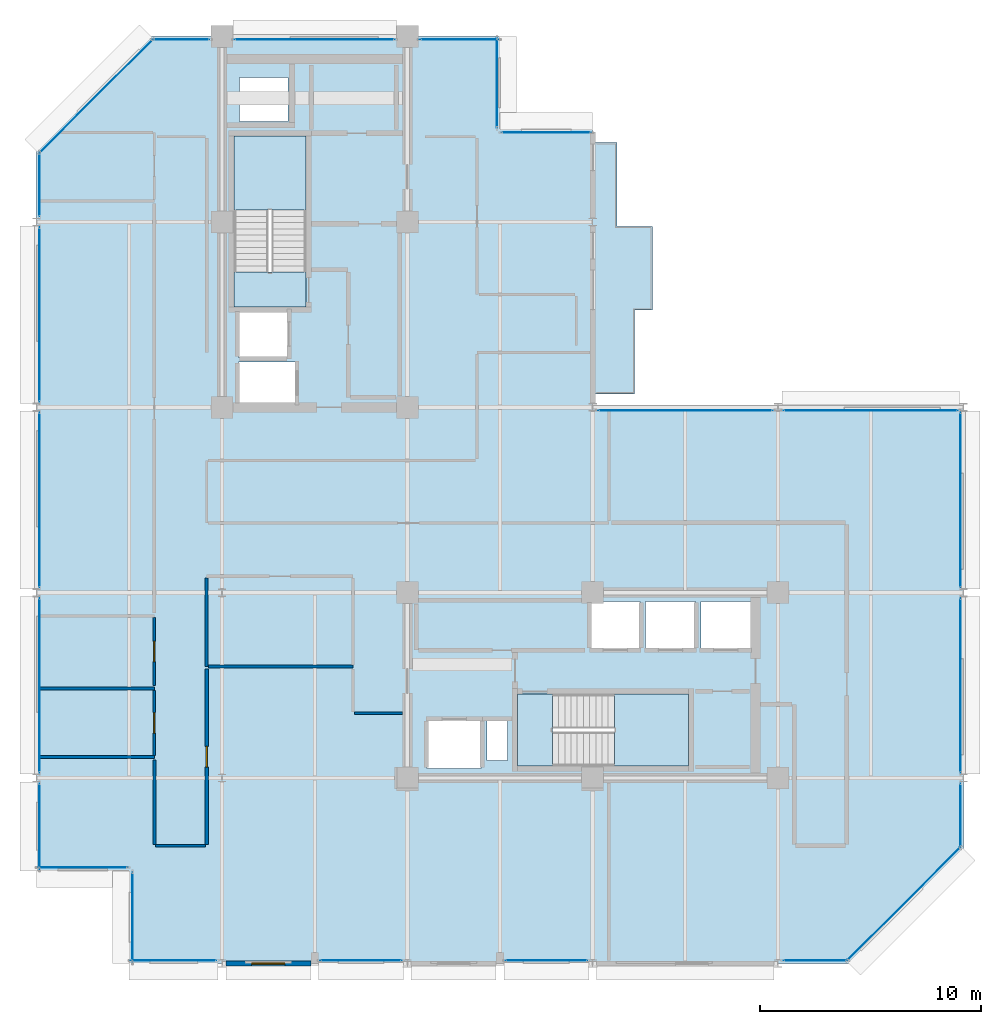
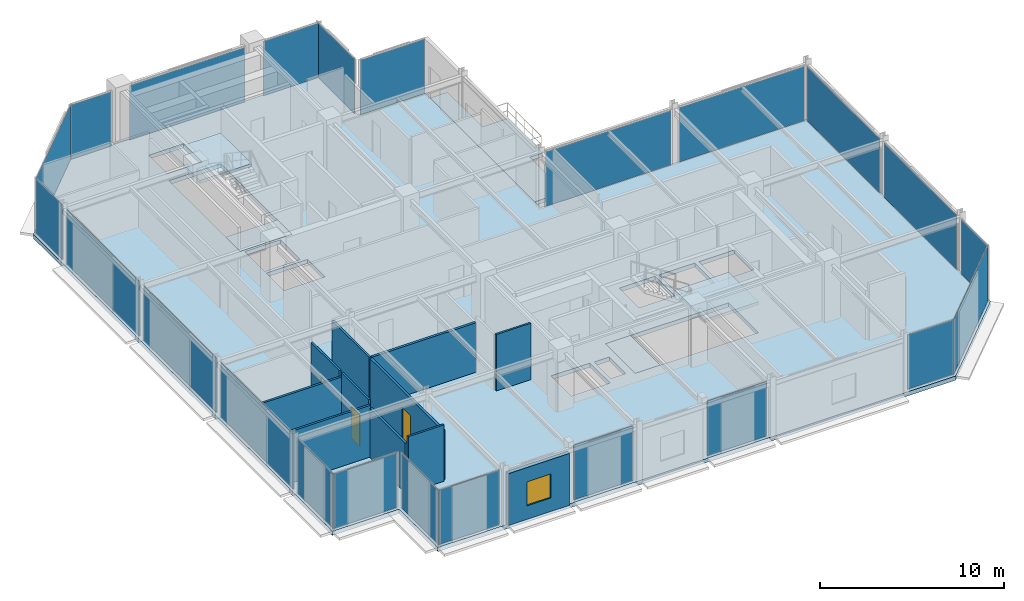
# One storey, part 19 of 26: 23 plates, 11 walls, 6 slabs, 3 doors, 1 window, 4 openings, 25 elements without a shape of their own.
"""IFC4 building model written with IfcOpenShell, lengths in metres."""

from ifc_helpers import new_model, si_unit, direction, frame, frame_2d, origin, origin_2d, place, context, subcontext, project, spatial, polyline, rectangle, outline, extrude, material, layer, layer_set, type_object, element, fill, aggregate, save


model = new_model("IFC4")

# Units and contexts
model_context = context("Model", 3, precision=1e-05, world=origin(), true_north=direction((0.0, 1.0)))
body_context = subcontext(model_context, "Body", "Model", "MODEL_VIEW")
ifc_project = project(units=[si_unit("LENGTHUNIT", "METRE"), si_unit("AREAUNIT", "SQUARE_METRE"), si_unit("VOLUMEUNIT", "CUBIC_METRE"), si_unit("PLANEANGLEUNIT", "RADIAN"), si_unit("MASSUNIT", "GRAM", prefix="KILO")], contexts=[model_context])

# Site, building, storey
site_placement = place(None, origin())
site = spatial("IfcSite", under=ifc_project, at=site_placement, CompositionType="ELEMENT")
building_placement = place(site_placement, origin())
building = spatial("IfcBuilding", under=site, at=building_placement, Name="Nerrivon Quay Data Exchange", CompositionType="ELEMENT")
storey_placement = place(building_placement, frame((0.0, 0.0, 241.10009765625)))
storey = spatial("IfcBuildingStorey", under=building, at=storey_placement, Name="L57", CompositionType="ELEMENT", Elevation=241.10009765625)

# Curtain wall, plate
ifc_material_1 = material(Name="Anodised aluminium 6063-T6", Category="aluminium")
ifc_layer_1 = layer(ifc_material_1, 0.195068359375)
ifc_layer_set_1 = layer_set([ifc_layer_1], Name="Anodised aluminium 6063-T6")
curtain_wall_type = type_object("IfcCurtainWallType", Name="CW-SYS-06", PredefinedType="NOTDEFINED", material=ifc_layer_set_1)
curtain_wall_1_placement = place(storey_placement, origin())
curtain_wall_1 = element("IfcCurtainWall", 1, at=curtain_wall_1_placement, inside=storey, type_object=curtain_wall_type, Name="L57 Unitised Curtain Wall 1", PredefinedType="NOTDEFINED")
ifc_material_2 = material(Name="Double-glazed low-E solar control glass", Category="glass")
ifc_layer_2 = layer(ifc_material_2, 0.028076171875)
ifc_layer_set_2 = layer_set([ifc_layer_2], Name="Double-glazed low-E solar control glass")
plate_type = type_object("IfcPlateType", Name="CWP-GLZ-28", PredefinedType="CURTAIN_PANEL", material=ifc_layer_set_2)
plate_1_placement = place(storey_placement, frame((39.301025390625, 2.698974609375, 0.06494140625), z_axis=(0.0, 0.0, 1.0), x_axis=(-0.707106781187, -0.707106781187, 0.0)))
plate_1 = element("IfcPlate", 2, at=plate_1_placement, type_object=plate_type, Name="CW06 panel 1.1", PredefinedType="CURTAIN_PANEL", context=body_context, shape_type="SweptSolid", body=[
    extrude(rectangle(XDim=7.203857421875, YDim=0.028076171875, at=origin_2d()), origin(), (0.0, 0.0, 1.0), 3.6201171875),
])
aggregate(curtain_wall_1, [plate_1])

curtain_wall_2_placement = place(storey_placement, origin())
curtain_wall_2 = element("IfcCurtainWall", 3, at=curtain_wall_2_placement, inside=storey, type_object=curtain_wall_type, Name="L57 Unitised Curtain Wall 2", PredefinedType="NOTDEFINED")
plate_2_placement = place(storey_placement, frame((35.28759765625, 0.139892578125, 0.06494140625), z_axis=(0.0, 0.0, 1.0), x_axis=(-1.0, 0.0, 0.0)))
plate_2 = element("IfcPlate", 4, at=plate_2_placement, type_object=plate_type, Name="CW06 panel 1.1", PredefinedType="CURTAIN_PANEL", context=body_context, shape_type="SweptSolid", body=[
    extrude(rectangle(XDim=2.875, YDim=0.028076171875, at=origin_2d()), origin(), (0.0, 0.0, 1.0), 3.6201171875),
])
aggregate(curtain_wall_2, [plate_2])

curtain_wall_3_placement = place(storey_placement, origin())
curtain_wall_3 = element("IfcCurtainWall", 5, at=curtain_wall_3_placement, inside=storey, type_object=curtain_wall_type, Name="L57 Unitised Curtain Wall 4", PredefinedType="NOTDEFINED")
plate_3_placement = place(storey_placement, frame((23.10009765625, 0.139892578125, 0.06494140625), z_axis=(0.0, 0.0, 1.0), x_axis=(-1.0, 0.0, 0.0)))
plate_3 = element("IfcPlate", 6, at=plate_3_placement, type_object=plate_type, Name="CW06 panel 1.1", PredefinedType="CURTAIN_PANEL", context=body_context, shape_type="SweptSolid", body=[
    extrude(rectangle(XDim=3.699951171875, YDim=0.028076171875, at=origin_2d()), origin(), (0.0, 0.0, 1.0), 3.6201171875),
])
aggregate(curtain_wall_3, [plate_3])

curtain_wall_4_placement = place(storey_placement, origin())
curtain_wall_4 = element("IfcCurtainWall", 7, at=curtain_wall_4_placement, inside=storey, type_object=curtain_wall_type, Name="L57 Unitised Curtain Wall 6", PredefinedType="NOTDEFINED")
plate_4_placement = place(storey_placement, frame((14.699951171875, 0.139892578125, 0.06494140625), z_axis=(0.0, 0.0, 1.0), x_axis=(-1.0, 0.0, 0.0)))
plate_4 = element("IfcPlate", 8, at=plate_4_placement, type_object=plate_type, Name="CW06 panel 1.1", PredefinedType="CURTAIN_PANEL", context=body_context, shape_type="SweptSolid", body=[
    extrude(rectangle(XDim=3.699951171875, YDim=0.028076171875, at=origin_2d()), origin(), (0.0, 0.0, 1.0), 3.6201171875),
])
aggregate(curtain_wall_4, [plate_4])

curtain_wall_5_placement = place(storey_placement, origin())
curtain_wall_5 = element("IfcCurtainWall", 9, at=curtain_wall_5_placement, inside=storey, type_object=curtain_wall_type, Name="L57 Unitised Curtain Wall 8", PredefinedType="NOTDEFINED")
plate_5_placement = place(storey_placement, frame((6.21240234375, 0.139892578125, 0.06494140625), z_axis=(0.0, 0.0, 1.0), x_axis=(-1.0, 0.0, 0.0)))
plate_5 = element("IfcPlate", 10, at=plate_5_placement, type_object=plate_type, Name="CW06 panel 1.1", PredefinedType="CURTAIN_PANEL", context=body_context, shape_type="SweptSolid", body=[
    extrude(rectangle(XDim=3.875, YDim=0.028076171875, at=origin_2d()), origin(), (0.0, 0.0, 1.0), 3.6201171875),
])
aggregate(curtain_wall_5, [plate_5])

curtain_wall_6_placement = place(storey_placement, origin())
curtain_wall_6 = element("IfcCurtainWall", 11, at=curtain_wall_6_placement, inside=storey, type_object=curtain_wall_type, Name="L57 Unitised Curtain Wall 9", PredefinedType="NOTDEFINED")
plate_6_placement = place(storey_placement, frame((4.340087890625, 2.10009765625, 0.06494140625), z_axis=(0.0, 0.0, 1.0), x_axis=(0.0, 1.0, 0.0)))
plate_6 = element("IfcPlate", 12, at=plate_6_placement, type_object=plate_type, Name="CW06 panel 1.1", PredefinedType="CURTAIN_PANEL", context=body_context, shape_type="SweptSolid", body=[
    extrude(rectangle(XDim=4.050048828125, YDim=0.028076171875, at=origin_2d()), origin(), (0.0, 0.0, 1.0), 3.6201171875),
])
aggregate(curtain_wall_6, [plate_6])

curtain_wall_7_placement = place(storey_placement, origin())
curtain_wall_7 = element("IfcCurtainWall", 13, at=curtain_wall_7_placement, inside=storey, type_object=curtain_wall_type, Name="L57 Unitised Curtain Wall 10", PredefinedType="NOTDEFINED")
plate_7_placement = place(storey_placement, frame((2.10009765625, 4.340087890625, 0.06494140625), z_axis=(0.0, 0.0, 1.0), x_axis=(-1.0, 0.0, 0.0)))
plate_7 = element("IfcPlate", 14, at=plate_7_placement, type_object=plate_type, Name="CW06 panel 1.1", PredefinedType="CURTAIN_PANEL", context=body_context, shape_type="SweptSolid", body=[
    extrude(rectangle(XDim=4.050048828125, YDim=0.028076171875, at=origin_2d()), origin(), (0.0, 0.0, 1.0), 3.6201171875),
])
aggregate(curtain_wall_7, [plate_7])

curtain_wall_8_placement = place(storey_placement, origin())
curtain_wall_8 = element("IfcCurtainWall", 15, at=curtain_wall_8_placement, inside=storey, type_object=curtain_wall_type, Name="L57 Unitised Curtain Wall 11", PredefinedType="NOTDEFINED")
plate_8_placement = place(storey_placement, frame((0.139892578125, 6.21240234375, 0.06494140625), z_axis=(0.0, 0.0, 1.0), x_axis=(0.0, 1.0, 0.0)))
plate_8 = element("IfcPlate", 16, at=plate_8_placement, type_object=plate_type, Name="CW06 panel 1.1", PredefinedType="CURTAIN_PANEL", context=body_context, shape_type="SweptSolid", body=[
    extrude(rectangle(XDim=3.875, YDim=0.028076171875, at=origin_2d()), origin(), (0.0, 0.0, 1.0), 3.6201171875),
])
aggregate(curtain_wall_8, [plate_8])

curtain_wall_9_placement = place(storey_placement, origin())
curtain_wall_9 = element("IfcCurtainWall", 17, at=curtain_wall_9_placement, inside=storey, type_object=curtain_wall_type, Name="L57 Unitised Curtain Wall 12", PredefinedType="NOTDEFINED")
plate_9_placement = place(storey_placement, frame((0.139892578125, 12.60009765625, 0.06494140625), z_axis=(0.0, 0.0, 1.0), x_axis=(0.0, 1.0, 0.0)))
plate_9 = element("IfcPlate", 18, at=plate_9_placement, type_object=plate_type, Name="CW06 panel 1.1", PredefinedType="CURTAIN_PANEL", context=body_context, shape_type="SweptSolid", body=[
    extrude(rectangle(XDim=7.89990234375, YDim=0.028076171875, at=origin_2d()), origin(), (0.0, 0.0, 1.0), 3.6201171875),
])
aggregate(curtain_wall_9, [plate_9])

curtain_wall_10_placement = place(storey_placement, origin())
curtain_wall_10 = element("IfcCurtainWall", 19, at=curtain_wall_10_placement, inside=storey, type_object=curtain_wall_type, Name="L57 Unitised Curtain Wall 13", PredefinedType="NOTDEFINED")
plate_10_placement = place(storey_placement, frame((0.139892578125, 21.0, 0.06494140625), z_axis=(0.0, 0.0, 1.0), x_axis=(0.0, 1.0, 0.0)))
plate_10 = element("IfcPlate", 20, at=plate_10_placement, type_object=plate_type, Name="CW06 panel 1.1", PredefinedType="CURTAIN_PANEL", context=body_context, shape_type="SweptSolid", body=[
    extrude(rectangle(XDim=7.89990234375, YDim=0.028076171875, at=origin_2d()), origin(), (0.0, 0.0, 1.0), 3.6201171875),
])
aggregate(curtain_wall_10, [plate_10])

curtain_wall_11_placement = place(storey_placement, origin())
curtain_wall_11 = element("IfcCurtainWall", 21, at=curtain_wall_11_placement, inside=storey, type_object=curtain_wall_type, Name="L57 Unitised Curtain Wall 14", PredefinedType="NOTDEFINED")
plate_11_placement = place(storey_placement, frame((0.139892578125, 29.39990234375, 0.06494140625), z_axis=(0.0, 0.0, 1.0), x_axis=(0.0, 1.0, 0.0)))
plate_11 = element("IfcPlate", 22, at=plate_11_placement, type_object=plate_type, Name="CW06 panel 1.1", PredefinedType="CURTAIN_PANEL", context=body_context, shape_type="SweptSolid", body=[
    extrude(rectangle(XDim=7.89990234375, YDim=0.028076171875, at=origin_2d()), origin(), (0.0, 0.0, 1.0), 3.6201171875),
])
aggregate(curtain_wall_11, [plate_11])

curtain_wall_12_placement = place(storey_placement, origin())
curtain_wall_12 = element("IfcCurtainWall", 23, at=curtain_wall_12_placement, inside=storey, type_object=curtain_wall_type, Name="L57 Unitised Curtain Wall 15", PredefinedType="NOTDEFINED")
plate_12_placement = place(storey_placement, frame((0.139892578125, 35.28759765625, 0.06494140625), z_axis=(0.0, 0.0, 1.0), x_axis=(0.0, 1.0, 0.0)))
plate_12 = element("IfcPlate", 24, at=plate_12_placement, type_object=plate_type, Name="CW06 panel 1.1", PredefinedType="CURTAIN_PANEL", context=body_context, shape_type="SweptSolid", body=[
    extrude(rectangle(XDim=2.875, YDim=0.028076171875, at=origin_2d()), origin(), (0.0, 0.0, 1.0), 3.6201171875),
])
aggregate(curtain_wall_12, [plate_12])

curtain_wall_13_placement = place(storey_placement, origin())
curtain_wall_13 = element("IfcCurtainWall", 25, at=curtain_wall_13_placement, inside=storey, type_object=curtain_wall_type, Name="L57 Unitised Curtain Wall 16", PredefinedType="NOTDEFINED")
plate_13_placement = place(storey_placement, frame((2.698974609375, 39.301025390625, 0.06494140625), z_axis=(0.0, 0.0, 1.0), x_axis=(0.707106781187, 0.707106781187, 0.0)))
plate_13 = element("IfcPlate", 26, at=plate_13_placement, type_object=plate_type, Name="CW06 panel 1.1", PredefinedType="CURTAIN_PANEL", context=body_context, shape_type="SweptSolid", body=[
    extrude(rectangle(XDim=7.203857421875, YDim=0.028076171875, at=origin_2d()), origin(), (0.0, 0.0, 1.0), 3.6201171875),
])
aggregate(curtain_wall_13, [plate_13])

curtain_wall_14_placement = place(storey_placement, origin())
curtain_wall_14 = element("IfcCurtainWall", 27, at=curtain_wall_14_placement, inside=storey, type_object=curtain_wall_type, Name="L57 Unitised Curtain Wall 17", PredefinedType="NOTDEFINED")
plate_14_placement = place(storey_placement, frame((6.550048828125, 41.860107421875, 0.06494140625), z_axis=(0.0, 0.0, 1.0), x_axis=(1.0, 0.0, 0.0)))
plate_14 = element("IfcPlate", 28, at=plate_14_placement, type_object=plate_type, Name="CW06 panel 1.1", PredefinedType="CURTAIN_PANEL", context=body_context, shape_type="SweptSolid", body=[
    extrude(rectangle(XDim=2.550048828125, YDim=0.028076171875, at=origin_2d()), origin(), (0.0, 0.0, 1.0), 3.6201171875),
])
aggregate(curtain_wall_14, [plate_14])

curtain_wall_15_placement = place(storey_placement, origin())
curtain_wall_15 = element("IfcCurtainWall", 29, at=curtain_wall_15_placement, inside=storey, type_object=curtain_wall_type, Name="L57 Unitised Curtain Wall 18", PredefinedType="NOTDEFINED")
plate_15_placement = place(storey_placement, frame((12.60009765625, 41.860107421875, 0.06494140625), z_axis=(0.0, 0.0, 1.0), x_axis=(1.0, 0.0, 0.0)))
plate_15 = element("IfcPlate", 30, at=plate_15_placement, type_object=plate_type, Name="CW06 panel 1.1", PredefinedType="CURTAIN_PANEL", context=body_context, shape_type="SweptSolid", body=[
    extrude(rectangle(XDim=7.25, YDim=0.028076171875, at=origin_2d()), origin(), (0.0, 0.0, 1.0), 3.6201171875),
])
aggregate(curtain_wall_15, [plate_15])

curtain_wall_16_placement = place(storey_placement, origin())
curtain_wall_16 = element("IfcCurtainWall", 31, at=curtain_wall_16_placement, inside=storey, type_object=curtain_wall_type, Name="L57 Unitised Curtain Wall 19", PredefinedType="NOTDEFINED")
plate_16_placement = place(storey_placement, frame((19.14990234375, 41.860107421875, 0.06494140625), z_axis=(0.0, 0.0, 1.0), x_axis=(1.0, 0.0, 0.0)))
plate_16 = element("IfcPlate", 32, at=plate_16_placement, type_object=plate_type, Name="CW06 panel 1.1", PredefinedType="CURTAIN_PANEL", context=body_context, shape_type="SweptSolid", body=[
    extrude(rectangle(XDim=3.550048828125, YDim=0.028076171875, at=origin_2d()), origin(), (0.0, 0.0, 1.0), 3.6201171875),
])
aggregate(curtain_wall_16, [plate_16])

curtain_wall_17_placement = place(storey_placement, origin())
curtain_wall_17 = element("IfcCurtainWall", 33, at=curtain_wall_17_placement, inside=storey, type_object=curtain_wall_type, Name="L57 Unitised Curtain Wall 20", PredefinedType="NOTDEFINED")
plate_17_placement = place(storey_placement, frame((20.860107421875, 39.89990234375, 0.06494140625), z_axis=(0.0, 0.0, 1.0), x_axis=(0.0, -1.0, 0.0)))
plate_17 = element("IfcPlate", 34, at=plate_17_placement, type_object=plate_type, Name="CW06 panel 1.1", PredefinedType="CURTAIN_PANEL", context=body_context, shape_type="SweptSolid", body=[
    extrude(rectangle(XDim=4.050048828125, YDim=0.028076171875, at=origin_2d()), origin(), (0.0, 0.0, 1.0), 3.6201171875),
])
aggregate(curtain_wall_17, [plate_17])

curtain_wall_18_placement = place(storey_placement, origin())
curtain_wall_18 = element("IfcCurtainWall", 35, at=curtain_wall_18_placement, inside=storey, type_object=curtain_wall_type, Name="L57 Unitised Curtain Wall 21", PredefinedType="NOTDEFINED")
plate_18_placement = place(storey_placement, frame((23.10009765625, 37.659912109375, 0.06494140625), z_axis=(0.0, 0.0, 1.0), x_axis=(1.0, 0.0, 0.0)))
plate_18 = element("IfcPlate", 36, at=plate_18_placement, type_object=plate_type, Name="CW06 panel 1.1", PredefinedType="CURTAIN_PANEL", context=body_context, shape_type="SweptSolid", body=[
    extrude(rectangle(XDim=4.050048828125, YDim=0.028076171875, at=origin_2d()), origin(), (0.0, 0.0, 1.0), 3.6201171875),
])
aggregate(curtain_wall_18, [plate_18])

curtain_wall_19_placement = place(storey_placement, origin())
curtain_wall_19 = element("IfcCurtainWall", 37, at=curtain_wall_19_placement, inside=storey, type_object=curtain_wall_type, Name="L57 Unitised Curtain Wall 24", PredefinedType="NOTDEFINED")
plate_19_placement = place(storey_placement, frame((29.39990234375, 25.06005859375, 0.06494140625), z_axis=(0.0, 0.0, 1.0), x_axis=(1.0, 0.0, 0.0)))
plate_19 = element("IfcPlate", 38, at=plate_19_placement, type_object=plate_type, Name="CW06 panel 1.1", PredefinedType="CURTAIN_PANEL", context=body_context, shape_type="SweptSolid", body=[
    extrude(rectangle(XDim=7.89990234375, YDim=0.028076171875, at=origin_2d()), origin(), (0.0, 0.0, 1.0), 3.6201171875),
])
aggregate(curtain_wall_19, [plate_19])

curtain_wall_20_placement = place(storey_placement, origin())
curtain_wall_20 = element("IfcCurtainWall", 39, at=curtain_wall_20_placement, inside=storey, type_object=curtain_wall_type, Name="L57 Unitised Curtain Wall 25", PredefinedType="NOTDEFINED")
plate_20_placement = place(storey_placement, frame((37.800048828125, 25.06005859375, 0.06494140625), z_axis=(0.0, 0.0, 1.0), x_axis=(1.0, 0.0, 0.0)))
plate_20 = element("IfcPlate", 40, at=plate_20_placement, type_object=plate_type, Name="CW06 panel 1.1", PredefinedType="CURTAIN_PANEL", context=body_context, shape_type="SweptSolid", body=[
    extrude(rectangle(XDim=7.89990234375, YDim=0.028076171875, at=origin_2d()), origin(), (0.0, 0.0, 1.0), 3.6201171875),
])
aggregate(curtain_wall_20, [plate_20])

curtain_wall_21_placement = place(storey_placement, origin())
curtain_wall_21 = element("IfcCurtainWall", 41, at=curtain_wall_21_placement, inside=storey, type_object=curtain_wall_type, Name="L57 Unitised Curtain Wall 26", PredefinedType="NOTDEFINED")
plate_21_placement = place(storey_placement, frame((41.860107421875, 21.0, 0.06494140625), z_axis=(0.0, 0.0, 1.0), x_axis=(0.0, -1.0, 0.0)))
plate_21 = element("IfcPlate", 42, at=plate_21_placement, type_object=plate_type, Name="CW06 panel 1.1", PredefinedType="CURTAIN_PANEL", context=body_context, shape_type="SweptSolid", body=[
    extrude(rectangle(XDim=7.89990234375, YDim=0.028076171875, at=origin_2d()), origin(), (0.0, 0.0, 1.0), 3.6201171875),
])
aggregate(curtain_wall_21, [plate_21])

curtain_wall_22_placement = place(storey_placement, origin())
curtain_wall_22 = element("IfcCurtainWall", 43, at=curtain_wall_22_placement, inside=storey, type_object=curtain_wall_type, Name="L57 Unitised Curtain Wall 27", PredefinedType="NOTDEFINED")
plate_22_placement = place(storey_placement, frame((41.860107421875, 12.60009765625, 0.06494140625), z_axis=(0.0, 0.0, 1.0), x_axis=(0.0, -1.0, 0.0)))
plate_22 = element("IfcPlate", 44, at=plate_22_placement, type_object=plate_type, Name="CW06 panel 1.1", PredefinedType="CURTAIN_PANEL", context=body_context, shape_type="SweptSolid", body=[
    extrude(rectangle(XDim=7.89990234375, YDim=0.028076171875, at=origin_2d()), origin(), (0.0, 0.0, 1.0), 3.6201171875),
])
aggregate(curtain_wall_22, [plate_22])

curtain_wall_23_placement = place(storey_placement, origin())
curtain_wall_23 = element("IfcCurtainWall", 45, at=curtain_wall_23_placement, inside=storey, type_object=curtain_wall_type, Name="L57 Unitised Curtain Wall 28", PredefinedType="NOTDEFINED")
plate_23_placement = place(storey_placement, frame((41.860107421875, 6.71240234375, 0.06494140625), z_axis=(0.0, 0.0, 1.0), x_axis=(0.0, -1.0, 0.0)))
plate_23 = element("IfcPlate", 46, at=plate_23_placement, type_object=plate_type, Name="CW06 panel 1.1", PredefinedType="CURTAIN_PANEL", context=body_context, shape_type="SweptSolid", body=[
    extrude(rectangle(XDim=2.875, YDim=0.028076171875, at=origin_2d()), origin(), (0.0, 0.0, 1.0), 3.6201171875),
])
aggregate(curtain_wall_23, [plate_23])

# Slab
ifc_material_3 = material(Name="Precast white architectural concrete N50 (50 MPa)", Category="concrete")
ifc_layer_3 = layer(ifc_material_3, 0.25)
ifc_layer_set_3 = layer_set([ifc_layer_3], Name="Precast white architectural concrete N50 (50 MPa)")
slab_type_1 = type_object("IfcSlabType", Name="SLB-BAL-250", PredefinedType="FLOOR", material=ifc_layer_set_3)
slab_1_placement = place(storey_placement, frame((0.0, 0.0, -0.25)))
element("IfcSlab", 47, at=slab_1_placement, inside=storey, type_object=slab_type_1, Name="L57 Waterfront Subtropical Verandah", PredefinedType="FLOOR", context=body_context, shape_type="SweptSolid", body=[
    extrude(outline(polyline([(27.10009765625, 29.60009765625), (27.89990234375, 29.60009765625), (27.89990234375, 33.39990234375), (26.300048828125, 33.39990234375), (26.300048828125, 37.199951171875), (25.199951171875, 37.199951171875), (25.199951171875, 33.39990234375), (25.199951171875, 29.60009765625), (25.199951171875, 25.800048828125), (27.10009765625, 25.800048828125), (27.10009765625, 29.60009765625)])), origin(), (0.0, 0.0, 1.0), 0.25),
])

# Stair, slab
ifc_material_4 = material(Name="Concrete N50 (50 MPa)", Category="concrete")
stair_type = type_object("IfcStairType", Name="STAIR-DOG-41", PredefinedType="HALF_TURN_STAIR", material=ifc_material_4)
stair_1_placement = place(storey_placement, origin())
stair_1 = element("IfcStair", 48, at=stair_1_placement, inside=storey, type_object=stair_type, Name="L57 West Core Fire Stair ST01", PredefinedType="HALF_TURN_STAIR")
ifc_layer_4 = layer(ifc_material_4, 0.199951171875)
ifc_layer_set_4 = layer_set([ifc_layer_4], Name="Concrete N50 (50 MPa)")
slab_type_2 = type_object("IfcSlabType", Name="SLB-LAND-200", PredefinedType="LANDING", material=ifc_layer_set_4)
slab_2_placement = place(storey_placement, frame((0.0, 0.0, 1.849853515625)))
slab_2 = element("IfcSlab", 49, at=slab_2_placement, type_object=slab_type_2, Name="ST01 landing 1", PredefinedType="LANDING", context=body_context, shape_type="SweptSolid", body=[
    extrude(outline(polyline([(12.199951171875, 34.1298828125), (12.199951171875, 37.5), (8.949951171875, 37.5), (8.949951171875, 34.1298828125), (12.199951171875, 34.1298828125)])), origin(), (0.0, 0.0, 1.0), 0.199951171875),
])
aggregate(stair_1, [slab_2])

# Slab
slab_3_placement = place(storey_placement, frame((0.0, 0.0, -0.2001953125)))
element("IfcSlab", 50, at=slab_3_placement, inside=storey, type_object=slab_type_2, Name="L57 ST01 floor landing", PredefinedType="LANDING", context=body_context, shape_type="SweptSolid", body=[
    extrude(outline(polyline([(12.199951171875, 29.75), (12.199951171875, 31.330078125), (8.949951171875, 31.330078125), (8.949951171875, 29.75), (12.199951171875, 29.75)])), origin(), (0.0, 0.0, 1.0), 0.2001953125),
])

# Stair, slab
stair_2_placement = place(storey_placement, origin())
stair_2 = element("IfcStair", 51, at=stair_2_placement, inside=storey, type_object=stair_type, Name="L57 East Core Fire Stair ST02", PredefinedType="HALF_TURN_STAIR")
slab_4_placement = place(storey_placement, frame((0.0, 0.0, 1.849853515625)))
slab_4 = element("IfcSlab", 52, at=slab_4_placement, type_object=slab_type_2, Name="ST02 landing 1", PredefinedType="LANDING", context=body_context, shape_type="SweptSolid", body=[
    extrude(outline(polyline([(26.179931640625, 8.949951171875), (29.550048828125, 8.949951171875), (29.550048828125, 12.199951171875), (26.179931640625, 12.199951171875), (26.179931640625, 8.949951171875)])), origin(), (0.0, 0.0, 1.0), 0.199951171875),
])
aggregate(stair_2, [slab_4])

# Slabs
slab_5_placement = place(storey_placement, frame((0.0, 0.0, -0.2001953125)))
element("IfcSlab", 53, at=slab_5_placement, inside=storey, type_object=slab_type_2, Name="L57 ST02 floor landing", PredefinedType="LANDING", context=body_context, shape_type="SweptSolid", body=[
    extrude(outline(polyline([(21.800048828125, 8.949951171875), (23.3798828125, 8.949951171875), (23.3798828125, 12.199951171875), (21.800048828125, 12.199951171875), (21.800048828125, 8.949951171875)])), origin(), (0.0, 0.0, 1.0), 0.2001953125),
])
ifc_layer_5 = layer(ifc_material_4, 0.27490234375)
ifc_layer_set_5 = layer_set([ifc_layer_5], Name="Concrete N50 (50 MPa)")
slab_type_3 = type_object("IfcSlabType", Name="SLB-TOW-275", PredefinedType="FLOOR", material=ifc_layer_set_5)
slab_6_placement = place(storey_placement, frame((0.0, 0.0, -0.275146484375)))
element("IfcSlab", 54, at=slab_6_placement, inside=storey, type_object=slab_type_3, Name="L57 Primary Structural Slab", PredefinedType="FLOOR", context=body_context, shape_type="SweptSolid", body=[
    extrude(outline(polyline([(42.0, 25.199951171875), (25.199951171875, 25.199951171875), (25.199951171875, 37.800048828125), (21.0, 37.800048828125), (21.0, 42.0), (5.199951171875, 42.0), (0.0, 36.800048828125), (0.0, 4.199951171875), (4.199951171875, 4.199951171875), (4.199951171875, 0.0), (36.800048828125, 0.0), (42.0, 5.199951171875), (42.0, 25.199951171875)]), holes=[polyline([(8.949951171875, 29.75), (8.949951171875, 37.5), (12.199951171875, 37.5), (12.199951171875, 29.75), (8.949951171875, 29.75)]), polyline([(21.800048828125, 12.199951171875), (29.550048828125, 12.199951171875), (29.550048828125, 8.949951171875), (21.800048828125, 8.949951171875), (21.800048828125, 12.199951171875)]), polyline([(30.10009765625, 14.25), (30.10009765625, 16.39990234375), (32.35009765625, 16.39990234375), (32.35009765625, 14.25), (30.10009765625, 14.25)]), polyline([(27.60009765625, 14.25), (27.60009765625, 16.39990234375), (29.85009765625, 16.39990234375), (29.85009765625, 14.25), (27.60009765625, 14.25)]), polyline([(25.10009765625, 14.25), (25.10009765625, 16.39990234375), (27.35009765625, 16.39990234375), (27.35009765625, 14.25), (25.10009765625, 14.25)]), polyline([(20.39990234375, 9.199951171875), (20.39990234375, 11.0), (21.35009765625, 11.0), (21.35009765625, 9.199951171875), (20.39990234375, 9.199951171875)]), polyline([(17.699951171875, 8.830078125), (17.699951171875, 11.030029296875), (20.14990234375, 11.030029296875), (20.14990234375, 8.830078125), (17.699951171875, 8.830078125)]), polyline([(9.14990234375, 25.35009765625), (9.14990234375, 27.25), (11.75, 27.25), (11.75, 25.35009765625), (9.14990234375, 25.35009765625)]), polyline([(9.14990234375, 27.449951171875), (9.14990234375, 29.60009765625), (11.39990234375, 29.60009765625), (11.39990234375, 27.449951171875), (9.14990234375, 27.449951171875)]), polyline([(9.199951171875, 38.14990234375), (9.199951171875, 40.14990234375), (11.39990234375, 40.14990234375), (11.39990234375, 38.14990234375), (9.199951171875, 38.14990234375)])]), origin(), (0.0, 0.0, 1.0), 0.275146484375),
])

# Wall, opening, window
ifc_material_5 = material(Name="Architectural terracotta precast concrete N50 (50 MPa)", Category="masonry")
ifc_layer_6 = layer(ifc_material_5, 0.239990234375)
ifc_layer_set_6 = layer_set([ifc_layer_6], Name="Architectural terracotta precast concrete N50 (50 MPa)")
wall_type_1 = type_object("IfcWallType", Name="EW-PREC-240", PredefinedType="STANDARD", material=ifc_layer_set_6)
wall_1_placement = place(storey_placement, frame((12.425048828125, 0.0, 0.0), z_axis=(0.0, 0.0, 1.0), x_axis=(-1.0, 0.0, 0.0)))
wall_1 = element("IfcWall", 55, at=wall_1_placement, inside=storey, type_object=wall_type_1, Name="L57 Podium Precast Spandrel Wall 7", PredefinedType="STANDARD", context=body_context, shape_type="SweptSolid", body=[
    extrude(rectangle(XDim=3.85009765625, YDim=0.239990234375, at=frame_2d((1.925048828125, 0.0))), origin(), (0.0, 0.0, 1.0), 3.449951171875),
])
opening_1_placement = place(wall_1_placement, frame((1.175048828125, 0.0, 0.89990234375)))
opening_1 = element("IfcOpeningElement", 56, at=opening_1_placement, cuts=wall_1, Name="Opening WN4", PredefinedType="OPENING", context=body_context, shape_type="SweptSolid", body=[
    extrude(rectangle(XDim=1.5, YDim=1.60009765625, at=frame_2d((0.75, 0.800048828125))), frame((0.0, 0.1298828125, 0.0), z_axis=(0.0, -1.0, 0.0), x_axis=(1.0, 0.0, 0.0)), (0.0, 0.0, 1.0), 0.260009765625),
])
window_type = type_object("IfcWindowType", Name="WIN-W4-1500x1600", PartitioningType="SINGLE_PANEL", PredefinedType="WINDOW", material=ifc_material_2)
window_placement = place(opening_1_placement, origin())
window = element("IfcWindow", 57, at=window_placement, inside=storey, type_object=window_type, Name="L57 Solar Facade Window 7", OverallHeight=1.60009765625, OverallWidth=1.5, PartitioningType="SINGLE_PANEL", PredefinedType="WINDOW", context=body_context, shape_type="SweptSolid", body=[
    extrude(rectangle(XDim=1.5, YDim=1.60009765625, at=frame_2d((0.75, 0.800048828125))), frame((0.0, 0.030029296875, 0.0), z_axis=(0.0, -1.0, 0.0), x_axis=(1.0, 0.0, 0.0)), (0.0, 0.0, 1.0), 0.06005859375),
])
fill(opening_1, window)

# Wall, opening, door
ifc_material_6 = material(Name="Gypsum plasterboard on cold-formed framing", Category="gypsum")
ifc_layer_7 = layer(ifc_material_6, 0.1201171875)
ifc_layer_set_7 = layer_set([ifc_layer_7], Name="Gypsum plasterboard on cold-formed framing")
wall_type_2 = type_object("IfcWallType", Name="WALL-PT-120", PredefinedType="PARTITIONING", material=ifc_layer_set_7)
wall_2_placement = place(storey_placement, frame((5.340087890625, 9.42138671875, 0.0), z_axis=(0.0, 0.0, 1.0), x_axis=(0.0, 1.0, 0.0)))
wall_2 = element("IfcWall", 58, at=wall_2_placement, inside=storey, type_object=wall_type_2, Name="L57 Partition Accessible Toilet", PredefinedType="PARTITIONING", context=body_context, shape_type="SweptSolid", body=[
    extrude(rectangle(XDim=2.95703125, YDim=0.1201171875, at=frame_2d((1.478515625, 0.0))), origin(), (0.0, 0.0, 1.0), 3.75),
])
opening_2_placement = place(wall_2_placement, frame((1.0185546875, 0.0, 0.0)))
opening_2 = element("IfcOpeningElement", 59, at=opening_2_placement, cuts=wall_2, Name="Opening D-WC", PredefinedType="OPENING", context=body_context, shape_type="SweptSolid", body=[
    extrude(rectangle(XDim=0.919921875, YDim=2.10009765625, at=frame_2d((0.4599609375, 1.050048828125))), frame((0.0, 0.070068359375, 0.0), z_axis=(0.0, -1.0, 0.0), x_axis=(1.0, 0.0, 0.0)), (0.0, 0.0, 1.0), 0.14013671875),
])
ifc_material_7 = material(Name="Engineered hardwood timber", Category="wood")
door_type_1 = type_object("IfcDoorType", Name="DR-WC-920", OperationType="NOTDEFINED", PredefinedType="DOOR", material=ifc_material_7)
door_1_placement = place(opening_2_placement, origin())
door_1 = element("IfcDoor", 60, at=door_1_placement, inside=storey, type_object=door_type_1, Name="L57 Door Accessible Toilet", OperationType="SINGLE_SWING_LEFT", OverallHeight=2.10009765625, OverallWidth=0.919921875, PredefinedType="DOOR", context=body_context, shape_type="SweptSolid", body=[
    extrude(rectangle(XDim=0.919921875, YDim=2.10009765625, at=frame_2d((0.4599609375, 1.050048828125))), frame((0.0, 0.02490234375, 0.0), z_axis=(0.0, -1.0, 0.0), x_axis=(1.0, 0.0, 0.0)), (0.0, 0.0, 1.0), 0.050048828125),
])
fill(opening_2, door_1)

wall_3_placement = place(storey_placement, frame((5.340087890625, 12.60009765625, 0.0), z_axis=(0.0, 0.0, 1.0), x_axis=(0.0, 1.0, 0.0)))
wall_3 = element("IfcWall", 61, at=wall_3_placement, inside=storey, type_object=wall_type_2, Name="L57 Partition Public Washrooms", PredefinedType="PARTITIONING", context=body_context, shape_type="SweptSolid", body=[
    extrude(rectangle(XDim=3.078369140625, YDim=0.1201171875, at=frame_2d((1.5390625, 0.0))), origin(), (0.0, 0.0, 1.0), 3.75),
])
opening_3_placement = place(wall_3_placement, frame((1.079345703125, 0.0, 0.0)))
opening_3 = element("IfcOpeningElement", 62, at=opening_3_placement, cuts=wall_3, Name="Opening D-WC", PredefinedType="OPENING", context=body_context, shape_type="SweptSolid", body=[
    extrude(rectangle(XDim=0.919921875, YDim=2.10009765625, at=frame_2d((0.4599609375, 1.050048828125))), frame((0.0, 0.070068359375, 0.0), z_axis=(0.0, -1.0, 0.0), x_axis=(1.0, 0.0, 0.0)), (0.0, 0.0, 1.0), 0.14013671875),
])
door_2_placement = place(opening_3_placement, origin())
door_2 = element("IfcDoor", 63, at=door_2_placement, inside=storey, type_object=door_type_1, Name="L57 Door Public Washrooms", OperationType="SINGLE_SWING_RIGHT", OverallHeight=2.10009765625, OverallWidth=0.919921875, PredefinedType="DOOR", context=body_context, shape_type="SweptSolid", body=[
    extrude(rectangle(XDim=0.919921875, YDim=2.10009765625, at=frame_2d((0.4599609375, 1.050048828125))), frame((0.0, 0.02490234375, 0.0), z_axis=(0.0, -1.0, 0.0), x_axis=(1.0, 0.0, 0.0)), (0.0, 0.0, 1.0), 0.050048828125),
])
fill(opening_3, door_2)

# Walls
wall_4_placement = place(storey_placement, frame((16.571044921875, 11.340087890625, 0.0), z_axis=(0.0, 0.0, 1.0), x_axis=(-1.0, 0.0, 0.0)))
element("IfcWall", 64, at=wall_4_placement, inside=storey, type_object=wall_type_2, Name="L57 Partition Technical Library", PredefinedType="PARTITIONING", context=body_context, shape_type="SweptSolid", body=[
    extrude(rectangle(XDim=2.171142578125, YDim=0.1201171875, at=frame_2d((1.08544921875, 0.0))), origin(), (0.0, 0.0, 1.0), 3.75),
])
wall_5_placement = place(storey_placement, frame((7.64990234375, 5.340087890625, 0.0), z_axis=(0.0, 0.0, 1.0), x_axis=(-1.0, 0.0, 0.0)))
element("IfcWall", 65, at=wall_5_placement, inside=storey, type_object=wall_type_2, Name="L57 Partition Technical Library", PredefinedType="PARTITIONING", context=body_context, shape_type="SweptSolid", body=[
    extrude(rectangle(XDim=2.25, YDim=0.1201171875, at=frame_2d((1.125, 0.0))), origin(), (0.0, 0.0, 1.0), 3.75),
])
ifc_layer_8 = layer(ifc_material_6, 0.135009765625)
ifc_layer_set_8 = layer_set([ifc_layer_8], Name="Gypsum plasterboard on cold-formed framing")
wall_type_3 = type_object("IfcWallType", Name="WALL-PT-135", PredefinedType="PARTITIONING", material=ifc_layer_set_8)
for number, where, z_axis, x_axis, name in (
    (66, (5.340087890625, 12.449951171875, 0.0), (0.0, 0.0, 1.0), (-1.0, 0.0, 0.0), "L57 Partition Accessible Toilet"),
    (67, (0.1689453125, 9.35009765625, 0.0), (0.0, 0.0, 1.0), (1.0, 0.0, 0.0), "L57 Partition Accessible Toilet"),
):
    element("IfcWall", number, at=place(storey_placement, frame(where, z_axis=z_axis, x_axis=x_axis)), inside=storey, type_object=wall_type_3, Name=name, PredefinedType="PARTITIONING", context=body_context, shape_type="SweptSolid", body=[
        extrude(rectangle(XDim=5.171142578125, YDim=0.135009765625, at=frame_2d((2.58544921875, 0.0))), origin(), (0.0, 0.0, 1.0), 3.44287109375),
    ])
wall_6_placement = place(storey_placement, frame((7.7099609375, 17.4609375, 0.0), z_axis=(0.0, 0.0, 1.0), x_axis=(0.0, -1.0, 0.0)))
element("IfcWall", 68, at=wall_6_placement, inside=storey, type_object=wall_type_3, Name="L57 Partition Public Washrooms", PredefinedType="PARTITIONING", context=body_context, shape_type="SweptSolid", body=[
    extrude(rectangle(XDim=4.009033203125, YDim=0.135009765625, at=frame_2d((2.00439453125, 0.0))), origin(), (0.0, 0.0, 1.0), 3.289794921875),
])
wall_7_placement = place(storey_placement, frame((5.340087890625, 5.39990234375, 0.0), z_axis=(0.0, 0.0, 1.0), x_axis=(0.0, 1.0, 0.0)))
element("IfcWall", 69, at=wall_7_placement, inside=storey, type_object=wall_type_3, Name="L57 Partition Technical Library", PredefinedType="PARTITIONING", context=body_context, shape_type="SweptSolid", body=[
    extrude(rectangle(XDim=3.830078125, YDim=0.135009765625, at=frame_2d((1.9150390625, 0.0))), origin(), (0.0, 0.0, 1.0), 3.289794921875),
])
ifc_layer_9 = layer(ifc_material_6, 0.14990234375)
ifc_layer_set_9 = layer_set([ifc_layer_9], Name="Gypsum plasterboard on cold-formed framing")
wall_type_4 = type_object("IfcWallType", Name="WALL-PT-150", PredefinedType="PARTITIONING", material=ifc_layer_set_9)
wall_8_placement = place(storey_placement, frame((7.781494140625, 13.451904296875, 0.0), z_axis=(0.0, 0.0, 1.0), x_axis=(1.0, 0.0, 0.0)))
element("IfcWall", 70, at=wall_8_placement, inside=storey, type_object=wall_type_4, Name="L57 Partition Public Washrooms", PredefinedType="PARTITIONING", context=body_context, shape_type="SweptSolid", body=[
    extrude(rectangle(XDim=6.55859375, YDim=0.14990234375, at=frame_2d((3.279296875, 0.0))), origin(), (0.0, 0.0, 1.0), 3.2958984375),
])

# Wall, opening, door
wall_9_placement = place(storey_placement, frame((7.7099609375, 13.33203125, 0.0), z_axis=(0.0, 0.0, 1.0), x_axis=(0.0, -1.0, 0.0)))
wall_9 = element("IfcWall", 71, at=wall_9_placement, inside=storey, type_object=wall_type_4, Name="L57 Partition Technical Library", PredefinedType="PARTITIONING", context=body_context, shape_type="SweptSolid", body=[
    extrude(rectangle(XDim=7.93212890625, YDim=0.14990234375, at=frame_2d((3.966064453125, 0.0))), origin(), (0.0, 0.0, 1.0), 3.289794921875),
])
opening_4_placement = place(wall_9_placement, frame((3.490966796875, 0.0, 0.0)))
opening_4 = element("IfcOpeningElement", 72, at=opening_4_placement, cuts=wall_9, Name="Opening D-01", PredefinedType="OPENING", context=body_context, shape_type="SweptSolid", body=[
    extrude(rectangle(XDim=0.949951171875, YDim=2.14990234375, at=frame_2d((0.47509765625, 1.074951171875))), frame((0.0, 0.0849609375, 0.0), z_axis=(0.0, -1.0, 0.0), x_axis=(1.0, 0.0, 0.0)), (0.0, 0.0, 1.0), 0.169921875),
])
door_type_2 = type_object("IfcDoorType", Name="DR-INT-950", OperationType="NOTDEFINED", PredefinedType="DOOR", material=ifc_material_7)
door_3_placement = place(opening_4_placement, origin())
door_3 = element("IfcDoor", 73, at=door_3_placement, inside=storey, type_object=door_type_2, Name="L57 Door Technical Library", OperationType="SINGLE_SWING_RIGHT", OverallHeight=2.14990234375, OverallWidth=0.949951171875, PredefinedType="DOOR", context=body_context, shape_type="SweptSolid", body=[
    extrude(rectangle(XDim=0.949951171875, YDim=2.14990234375, at=frame_2d((0.47509765625, 1.074951171875))), frame((0.0, 0.02490234375, 0.0), z_axis=(0.0, -1.0, 0.0), x_axis=(1.0, 0.0, 0.0)), (0.0, 0.0, 1.0), 0.050048828125),
])
fill(opening_4, door_3)

save(model, "model.ifc")
